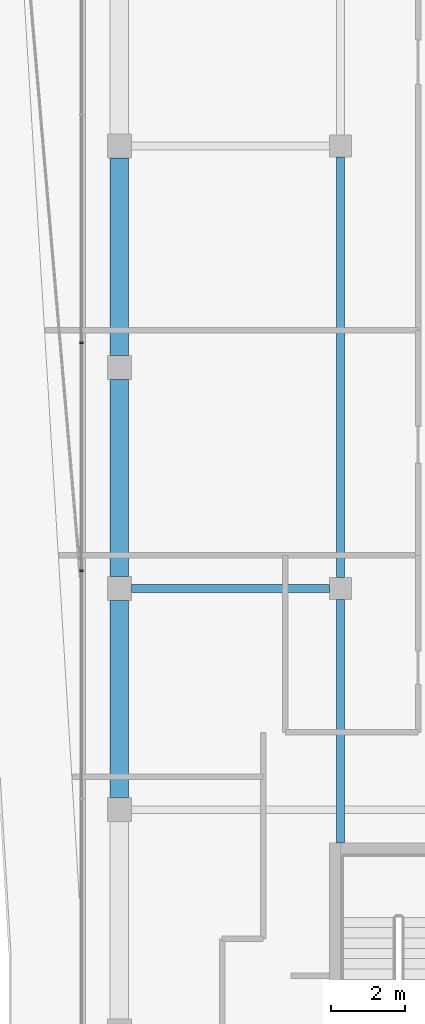
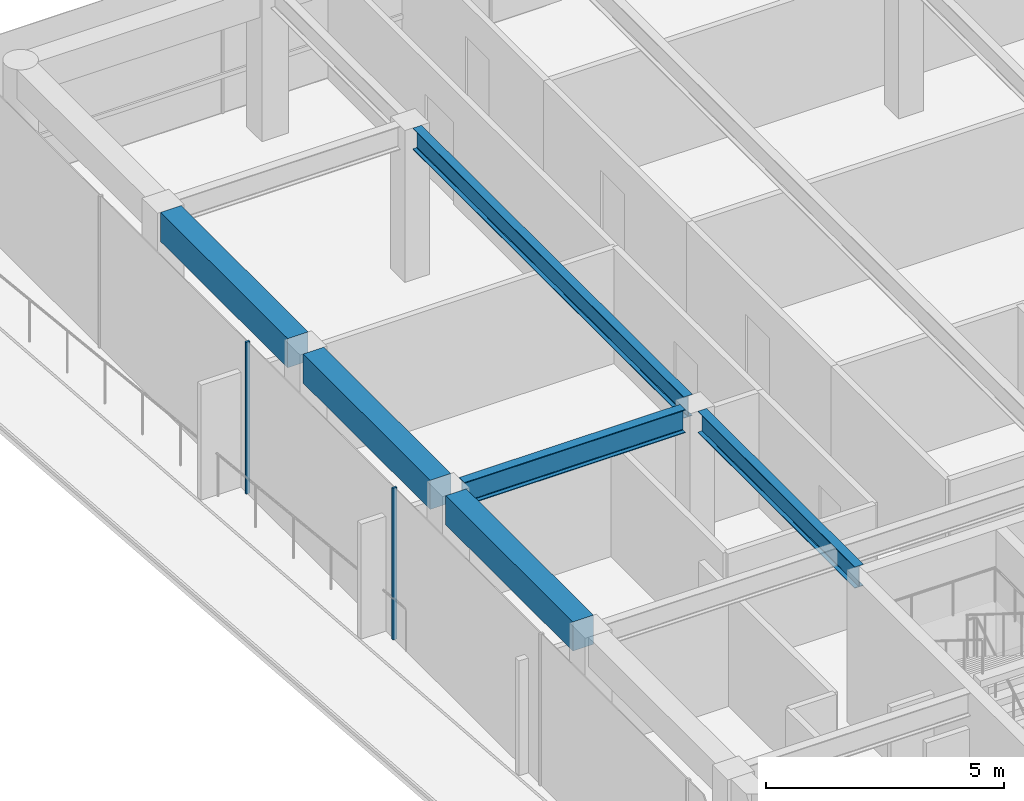
# One storey, part 8 of 22: 6 beams, 2 members, 1 element without a shape of its own.
"""IFC4 building model written with IfcOpenShell, lengths in metres."""

from ifc_helpers import new_model, si_unit, direction, frame, origin, origin_2d, place, context, subcontext, project, spatial, rectangle, i_section, extrude, material, layer, layer_set, material_profile, profile_set, type_object, element, aggregate, save


model = new_model("IFC4")

# Units and contexts
model_context = context("Model", 3, precision=1e-05, world=origin(), true_north=direction((0.0, 1.0)))
body_context = subcontext(model_context, "Body", "Model", "MODEL_VIEW")
ifc_project = project(units=[si_unit("LENGTHUNIT", "METRE"), si_unit("AREAUNIT", "SQUARE_METRE"), si_unit("VOLUMEUNIT", "CUBIC_METRE"), si_unit("PLANEANGLEUNIT", "RADIAN"), si_unit("MASSUNIT", "GRAM", prefix="KILO")], contexts=[model_context])

# Site, building, storey
site_placement = place(None, origin())
site = spatial("IfcSite", under=ifc_project, at=site_placement, CompositionType="ELEMENT")
building_placement = place(site_placement, origin())
building = spatial("IfcBuilding", under=site, at=building_placement, Name="Welwitschia Terrace Campus", CompositionType="ELEMENT")
storey_placement = place(building_placement, frame((0.0, 0.0, 318.800048828125)))
storey = spatial("IfcBuildingStorey", under=building, at=storey_placement, Name="L71", CompositionType="ELEMENT", Elevation=318.800048828125)

# Beams
ifc_material_1 = material(Name="Steel S355", Category="steel")
ifc_material_profile_1 = material_profile(ifc_material_1, i_section(OverallWidth=0.2099609375, OverallDepth=0.550048828125, WebThickness=0.010986328125, FlangeThickness=0.01708984375, FilletRadius=0.02392578125, at=origin_2d()))
ifc_profile_set_1 = profile_set([ifc_material_profile_1], Name="Steel S355")
beam_type_1 = type_object("IfcBeamType", Name="Interior girder IPE 550", PredefinedType="BEAM", material=ifc_profile_set_1)
beam_1_placement = place(storey_placement, frame((6.0, 25.10107421875, 3.625), z_axis=(0.0, 1.0, 0.0), x_axis=(-1.0, 0.0, 0.0)))
element("IfcBeam", 1, at=beam_1_placement, inside=storey, type_object=beam_type_1, Name="Girder GB7", PredefinedType="BEAM", context=body_context, shape_type="SweptSolid", body=[
    extrude(i_section(OverallWidth=0.2099609375, OverallDepth=0.550048828125, WebThickness=0.010986328125, FlangeThickness=0.01708984375, FilletRadius=0.02392578125, at=origin_2d()), origin(), (0.0, 0.0, 1.0), 6.598388671875),
])
beam_2_placement = place(storey_placement, frame((6.0, 32.300537109375, 3.625), z_axis=(0.0, 1.0, 0.0), x_axis=(-1.0, 0.0, 0.0)))
element("IfcBeam", 2, at=beam_2_placement, inside=storey, type_object=beam_type_1, Name="Girder GB7", PredefinedType="BEAM", context=body_context, shape_type="SweptSolid", body=[
    extrude(i_section(OverallWidth=0.2099609375, OverallDepth=0.550048828125, WebThickness=0.010986328125, FlangeThickness=0.01708984375, FilletRadius=0.02392578125, at=origin_2d()), origin(), (0.0, 0.0, 1.0), 11.39892578125),
])

# Curtain wall, members
ifc_material_2 = material(Name="Bronze anodised aluminium", Category="aluminium")
ifc_layer = layer(ifc_material_2, 0.10009765625)
ifc_layer_set = layer_set([ifc_layer], Name="Bronze anodised aluminium")
curtain_wall_type = type_object("IfcCurtainWallType", Name="Curtain wall CW5 crown 6000", PredefinedType="NOTDEFINED", material=ifc_layer_set)
curtain_wall_placement = place(storey_placement, origin())
curtain_wall = element("IfcCurtainWall", 3, at=curtain_wall_placement, inside=storey, type_object=curtain_wall_type, Name="CW L71.7.0", PredefinedType="NOTDEFINED")
ifc_material_3 = material(Name="Bronze anodised aluminium", Category="aluminium")
ifc_material_profile_2 = material_profile(ifc_material_3, rectangle(XDim=0.10009765625, YDim=0.050048828125, at=origin_2d()))
ifc_profile_set_2 = profile_set([ifc_material_profile_2], Name="Bronze anodised aluminium")
member_type = type_object("IfcMemberType", Name="Mullion 50x100", PredefinedType="MULLION", material=ifc_profile_set_2)
member_1_placement = place(storey_placement, frame((-1.030029296875, 38.665771484375, 0.0), z_axis=(0.0, 0.0, 1.0), x_axis=(1.0, 0.0, 0.0)))
member_1 = element("IfcMember", 4, at=member_1_placement, type_object=member_type, Name="Mullion L71.7.0.2", PredefinedType="MULLION", context=body_context, shape_type="SweptSolid", body=[
    extrude(rectangle(XDim=0.10009765625, YDim=0.050048828125, at=origin_2d()), origin(), (0.0, 0.0, 1.0), 3.89990234375),
])
member_2_placement = place(storey_placement, frame((-1.030029296875, 32.483642578125, 0.0), z_axis=(0.0, 0.0, 1.0), x_axis=(1.0, 0.0, 0.0)))
member_2 = element("IfcMember", 5, at=member_2_placement, type_object=member_type, Name="Mullion L71.7.0.3", PredefinedType="MULLION", context=body_context, shape_type="SweptSolid", body=[
    extrude(rectangle(XDim=0.10009765625, YDim=0.050048828125, at=origin_2d()), origin(), (0.0, 0.0, 1.0), 3.89990234375),
])
aggregate(curtain_wall, [member_1, member_2])

# Beams
ifc_material_4 = material(Name="Steel S355", Category="steel")
ifc_material_profile_3 = material_profile(ifc_material_4, i_section(OverallWidth=0.219970703125, OverallDepth=0.60009765625, WebThickness=0.011962890625, FlangeThickness=0.01904296875, FilletRadius=0.02392578125, at=origin_2d()))
ifc_profile_set_3 = profile_set([ifc_material_profile_3], Name="Steel S355")
beam_type_2 = type_object("IfcBeamType", Name="Primary beam IPE 600", PredefinedType="BEAM", material=ifc_profile_set_3)
beam_3_placement = place(storey_placement, frame((0.325439453125, 32.0, 3.599853515625), z_axis=(1.0, 0.0, 0.0), x_axis=(0.0, 1.0, 0.0)))
element("IfcBeam", 6, at=beam_3_placement, inside=storey, type_object=beam_type_2, Name="Primary beam PB7", PredefinedType="BEAM", context=body_context, shape_type="SweptSolid", body=[
    extrude(i_section(OverallWidth=0.219970703125, OverallDepth=0.60009765625, WebThickness=0.011962890625, FlangeThickness=0.01904296875, FilletRadius=0.02392578125, at=origin_2d()), origin(), (0.0, 0.0, 1.0), 5.3740234375),
])
ifc_material_5 = material(Name="Concrete C40/50", Category="concrete")
ifc_material_profile_4 = material_profile(ifc_material_5, rectangle(XDim=0.5, YDim=0.75, at=origin_2d()))
ifc_profile_set_4 = profile_set([ifc_material_profile_4], Name="Concrete C40/50")
beam_type_3 = type_object("IfcBeamType", Name="Ring spandrel 500x750", PredefinedType="SPANDREL", material=ifc_profile_set_4)
for number, where, z_axis, x_axis, name in (
    (7, (0.0, 43.674560546875, 3.52490234375), (0.0, -1.0, 0.0), (1.0, 0.0, 0.0), "Spandrel SP5"),
    (8, (0.0, 37.674560546875, 3.52490234375), (0.0, -1.0, 0.0), (1.0, 0.0, 0.0), "Spandrel SP5"),
    (9, (0.0, 31.674560546875, 3.52490234375), (0.0, -1.0, 0.0), (1.0, 0.0, 0.0), "Spandrel SP5"),
):
    element("IfcBeam", number, at=place(storey_placement, frame(where, z_axis=z_axis, x_axis=x_axis)), inside=storey, type_object=beam_type_3, Name=name, PredefinedType="SPANDREL", context=body_context, shape_type="SweptSolid", body=[
        extrude(rectangle(XDim=0.5, YDim=0.75, at=origin_2d()), origin(), (0.0, 0.0, 1.0), 5.34912109375),
    ])

save(model, "model.ifc")
